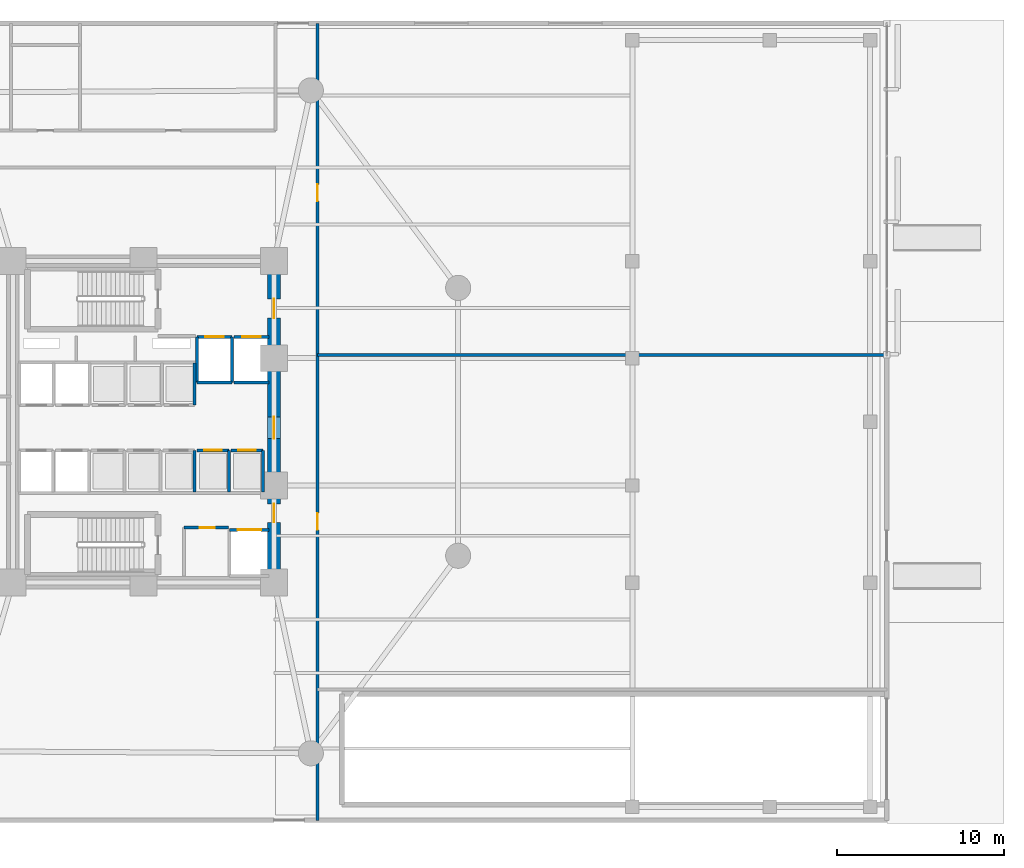
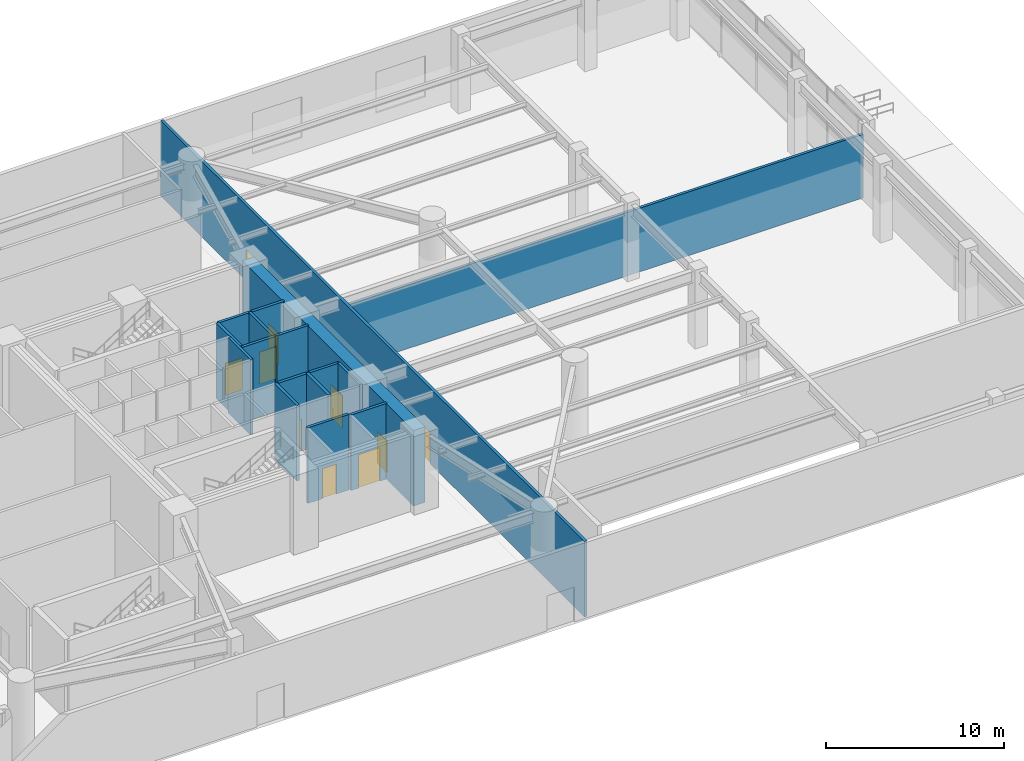
# One storey, part 8 of 16: 17 walls, 11 doors, 11 openings.
"""IFC4 building model written with IfcOpenShell, lengths in metres."""

from ifc_helpers import new_model, si_unit, direction, frame, frame_2d, origin, place, context, subcontext, project, spatial, rectangle, extrude, material, layer, layer_set, type_object, element, fill, save


model = new_model("IFC4")

# Units and contexts
model_context = context("Model", 3, precision=1e-05, world=origin(), true_north=direction((0.0, 1.0)))
body_context = subcontext(model_context, "Body", "Model", "MODEL_VIEW")
ifc_project = project(units=[si_unit("LENGTHUNIT", "METRE"), si_unit("AREAUNIT", "SQUARE_METRE"), si_unit("VOLUMEUNIT", "CUBIC_METRE"), si_unit("PLANEANGLEUNIT", "RADIAN"), si_unit("MASSUNIT", "GRAM", prefix="KILO")], contexts=[model_context])

# Site, building, storey
site_placement = place(None, origin())
site = spatial("IfcSite", under=ifc_project, at=site_placement, CompositionType="ELEMENT")
building_placement = place(site_placement, origin())
building = spatial("IfcBuilding", under=site, at=building_placement, Name="An Khanh Terracotta Commons", CompositionType="ELEMENT")
storey_placement = place(building_placement, origin())
storey = spatial("IfcBuildingStorey", under=building, at=storey_placement, Name="L01", CompositionType="ELEMENT", Elevation=0.0)

# Wall, openings, doors
ifc_material_1 = material(Name="Concrete C70/85", Category="concrete")
ifc_layer_1 = layer(ifc_material_1, 0.75, Name="Concrete C70/85")
ifc_layer_set_1 = layer_set([ifc_layer_1], Name="Concrete C70/85")
wall_type_1 = type_object("IfcWallType", Name="WALL-CORE-750", PredefinedType="SHEAR", material=ifc_layer_set_1)
wall_1_placement = place(storey_placement, frame((37.199951171875, 14.39990234375, 0.0), z_axis=(0.0, 0.0, 1.0), x_axis=(0.0, 1.0, 0.0)))
wall_1 = element("IfcWall", 1, at=wall_1_placement, inside=storey, type_object=wall_type_1, Name="L01 Core Wall CWALL-L01-E", PredefinedType="SHEAR", context=body_context, shape_type="SweptSolid", body=[
    extrude(rectangle(XDim=19.2001953125, YDim=0.75, at=frame_2d((9.60009765625, 0.0))), origin(), (0.0, 0.0, 1.0), 5.179931640625),
])
opening_1_placement = place(wall_1_placement, frame((15.800048828125, 0.0, 0.0)))
opening_1 = element("IfcOpeningElement", 2, at=opening_1_placement, cuts=wall_1, Name="Opening D-FFL", PredefinedType="OPENING", context=body_context, shape_type="SweptSolid", body=[
    extrude(rectangle(XDim=1.14990234375, YDim=2.14990234375, at=frame_2d((0.574951171875, 1.074951171875))), frame((0.0, 0.385009765625, 0.0), z_axis=(0.0, -1.0, 0.0), x_axis=(1.0, 0.0, 0.0)), (0.0, 0.0, 1.0), 0.77001953125),
])
opening_2_placement = place(wall_1_placement, frame((3.60009765625, 0.0, 0.0)))
opening_2 = element("IfcOpeningElement", 3, at=opening_2_placement, cuts=wall_1, Name="Opening D-ST", PredefinedType="OPENING", context=body_context, shape_type="SweptSolid", body=[
    extrude(rectangle(XDim=1.10009765625, YDim=2.14990234375, at=frame_2d((0.550048828125, 1.074951171875))), frame((0.0, 0.385009765625, 0.0), z_axis=(0.0, -1.0, 0.0), x_axis=(1.0, 0.0, 0.0)), (0.0, 0.0, 1.0), 0.77001953125),
])
opening_3_placement = place(wall_1_placement, frame((8.60009765625, 0.0, 0.0)))
opening_3 = element("IfcOpeningElement", 4, at=opening_3_placement, cuts=wall_1, Name="Opening D-COR", PredefinedType="OPENING", context=body_context, shape_type="SweptSolid", body=[
    extrude(rectangle(XDim=1.300048828125, YDim=2.199951171875, at=frame_2d((0.64990234375, 1.10009765625))), frame((0.0, 0.385009765625, 0.0), z_axis=(0.0, -1.0, 0.0), x_axis=(1.0, 0.0, 0.0)), (0.0, 0.0, 1.0), 0.77001953125),
])
ifc_material_2 = material(Name="Fire-Rated Glazed Steel Double Door", Category="steel")
door_type_1 = type_object("IfcDoorType", Name="DOOR-CORR-1300", OperationType="NOTDEFINED", PredefinedType="DOOR", material=ifc_material_2)
door_1_placement = place(opening_3_placement, origin())
door_1 = element("IfcDoor", 5, at=door_1_placement, inside=storey, type_object=door_type_1, Name="L01 Passenger Lift Lobby Double Door", OperationType="DOUBLE_DOOR_SINGLE_SWING", OverallHeight=2.199951171875, OverallWidth=1.300048828125, PredefinedType="DOOR", context=body_context, shape_type="SweptSolid", body=[
    extrude(rectangle(XDim=1.300048828125, YDim=2.199951171875, at=frame_2d((0.64990234375, 1.10009765625))), frame((0.0, 0.02490234375, 0.0), z_axis=(0.0, -1.0, 0.0), x_axis=(1.0, 0.0, 0.0)), (0.0, 0.0, 1.0), 0.050048828125),
])
fill(opening_3, door_1)
ifc_material_3 = material(Name="Fire-Rated Steel Leaf and Vision Panel", Category="steel")
door_type_2 = type_object("IfcDoorType", Name="DOOR-FFL-1150", OperationType="NOTDEFINED", PredefinedType="DOOR", material=ifc_material_3)
door_2_placement = place(opening_1_placement, origin())
door_2 = element("IfcDoor", 6, at=door_2_placement, inside=storey, type_object=door_type_2, Name="L01 Firefighting Lift Lobby Fire Door", OperationType="SINGLE_SWING_RIGHT", OverallHeight=2.14990234375, OverallWidth=1.14990234375, PredefinedType="DOOR", context=body_context, shape_type="SweptSolid", body=[
    extrude(rectangle(XDim=1.14990234375, YDim=2.14990234375, at=frame_2d((0.574951171875, 1.074951171875))), frame((0.0, 0.02490234375, 0.0), z_axis=(0.0, -1.0, 0.0), x_axis=(1.0, 0.0, 0.0)), (0.0, 0.0, 1.0), 0.050048828125),
])
fill(opening_1, door_2)
ifc_material_4 = material(Name="Fire-Rated Steel Leaf and Frame", Category="steel")
door_type_3 = type_object("IfcDoorType", Name="DOOR-STAIR-1100", OperationType="NOTDEFINED", PredefinedType="DOOR", material=ifc_material_4)
door_3_placement = place(opening_2_placement, origin())
door_3 = element("IfcDoor", 7, at=door_3_placement, inside=storey, type_object=door_type_3, Name="L01 South Stair Lobby Fire Door", OperationType="SINGLE_SWING_LEFT", OverallHeight=2.14990234375, OverallWidth=1.10009765625, PredefinedType="DOOR", context=body_context, shape_type="SweptSolid", body=[
    extrude(rectangle(XDim=1.10009765625, YDim=2.14990234375, at=frame_2d((0.550048828125, 1.074951171875))), frame((0.0, 0.02490234375, 0.0), z_axis=(0.0, -1.0, 0.0), x_axis=(1.0, 0.0, 0.0)), (0.0, 0.0, 1.0), 0.050048828125),
])
fill(opening_2, door_3)

# Wall, opening, door
ifc_material_5 = material(Name="Fire-Rated Gypsum Board on Steel Stud", Category="steel")
ifc_layer_2 = layer(ifc_material_5, 0.179931640625, Name="Fire-Rated Gypsum Board on Steel Stud")
ifc_layer_set_2 = layer_set([ifc_layer_2], Name="Fire-Rated Gypsum Board on Steel Stud")
wall_type_2 = type_object("IfcWallType", Name="WALL-CORR-180", PredefinedType="PARTITIONING", material=ifc_layer_set_2)
wall_2_placement = place(storey_placement, frame((31.820068359375, 17.679931640625, 0.0), z_axis=(0.0, 0.0, 1.0), x_axis=(1.0, 0.0, 0.0)))
wall_2 = element("IfcWall", 8, at=wall_2_placement, inside=storey, type_object=wall_type_2, Name="L01 Core Wall SSVCW-L01-N", PredefinedType="PARTITIONING", context=body_context, shape_type="SweptSolid", body=[
    extrude(rectangle(XDim=2.659912109375, YDim=0.179931640625, at=frame_2d((1.330078125, 0.0))), origin(), (0.0, 0.0, 1.0), 5.179931640625),
])
opening_4_placement = place(wall_2_placement, frame((0.949951171875, 0.0, 0.0)))
opening_4 = element("IfcOpeningElement", 9, at=opening_4_placement, cuts=wall_2, Name="Opening D-SV", PredefinedType="OPENING", context=body_context, shape_type="SweptSolid", body=[
    extrude(rectangle(XDim=0.89990234375, YDim=2.050048828125, at=frame_2d((0.449951171875, 1.02490234375))), frame((0.0, 0.099853515625, 0.0), z_axis=(0.0, -1.0, 0.0), x_axis=(1.0, 0.0, 0.0)), (0.0, 0.0, 1.0), 0.199951171875),
])
ifc_material_6 = material(Name="Fire-Rated Powder-Coated Steel Door", Category="steel")
door_type_4 = type_object("IfcDoorType", Name="DOOR-SERV-900", OperationType="NOTDEFINED", PredefinedType="DOOR", material=ifc_material_6)
door_4_placement = place(opening_4_placement, origin())
door_4 = element("IfcDoor", 10, at=door_4_placement, inside=storey, type_object=door_type_4, Name="L01 Core Housekeeping Store Door", OperationType="SINGLE_SWING_RIGHT", OverallHeight=2.050048828125, OverallWidth=0.89990234375, PredefinedType="DOOR", context=body_context, shape_type="SweptSolid", body=[
    extrude(rectangle(XDim=0.89990234375, YDim=2.050048828125, at=frame_2d((0.449951171875, 1.02490234375))), frame((0.0, 0.02490234375, 0.0), z_axis=(0.0, -1.0, 0.0), x_axis=(1.0, 0.0, 0.0)), (0.0, 0.0, 1.0), 0.050048828125),
])
fill(opening_4, door_4)

wall_3_placement = place(storey_placement, frame((32.60009765625, 29.080078125, 0.0), z_axis=(0.0, 0.0, 1.0), x_axis=(1.0, 0.0, 0.0)))
wall_3 = element("IfcWall", 11, at=wall_3_placement, inside=storey, type_object=wall_type_2, Name="L01 Core Wall LSH-L01-FFL-01-N", PredefinedType="PARTITIONING", context=body_context, shape_type="SweptSolid", body=[
    extrude(rectangle(XDim=2.079833984375, YDim=0.179931640625, at=frame_2d((1.0400390625, 0.0))), origin(), (0.0, 0.0, 1.0), 5.179931640625),
])
opening_5_placement = place(wall_3_placement, frame((0.489990234375, 0.0, 0.0)))
opening_5 = element("IfcOpeningElement", 12, at=opening_5_placement, cuts=wall_3, Name="Opening LD-FFL-01-L01", PredefinedType="OPENING", context=body_context, shape_type="SweptSolid", body=[
    extrude(rectangle(XDim=1.10009765625, YDim=2.199951171875, at=frame_2d((0.550048828125, 1.10009765625))), frame((0.0, 0.099853515625, 0.0), z_axis=(0.0, -1.0, 0.0), x_axis=(1.0, 0.0, 0.0)), (0.0, 0.0, 1.0), 0.199951171875),
])
ifc_material_7 = material(Name="Brushed Stainless Steel Fire Landing Door", Category="steel")
door_type_5 = type_object("IfcDoorType", Name="DOOR-LD-FFL-1100", OperationType="NOTDEFINED", PredefinedType="DOOR", material=ifc_material_7)
door_5_placement = place(opening_5_placement, origin())
door_5 = element("IfcDoor", 13, at=door_5_placement, inside=storey, type_object=door_type_5, Name="L01 Lift FFL-01 Sliding Landing Door", OperationType="DOUBLE_DOOR_SLIDING", OverallHeight=2.199951171875, OverallWidth=1.10009765625, PredefinedType="DOOR", context=body_context, shape_type="SweptSolid", body=[
    extrude(rectangle(XDim=1.10009765625, YDim=2.199951171875, at=frame_2d((0.550048828125, 1.10009765625))), frame((0.0, 0.02490234375, 0.0), z_axis=(0.0, -1.0, 0.0), x_axis=(1.0, 0.0, 0.0)), (0.0, 0.0, 1.0), 0.050048828125),
])
fill(opening_5, door_5)

# Walls
wall_4_placement = place(storey_placement, frame((34.679931640625, 26.35009765625, 0.0), z_axis=(0.0, 0.0, 1.0), x_axis=(-1.0, 0.0, 0.0)))
element("IfcWall", 14, at=wall_4_placement, inside=storey, type_object=wall_type_2, Name="L01 Core Wall LSH-L01-FFL-01-S", PredefinedType="PARTITIONING", context=body_context, shape_type="SweptSolid", body=[
    extrude(rectangle(XDim=2.079833984375, YDim=0.179931640625, at=frame_2d((1.0400390625, 0.0))), origin(), (0.0, 0.0, 1.0), 5.179931640625),
])
for number, where, z_axis, x_axis, name in (
    (15, (34.679931640625, 26.35009765625, 0.0), (0.0, 0.0, 1.0), (0.0, 1.0, 0.0), "L01 Core Wall LSH-L01-FFL-01-E"),
    (16, (32.60009765625, 29.080078125, 0.0), (0.0, 0.0, 1.0), (0.0, -1.0, 0.0), "L01 Core Wall LSH-L01-FFL-01-W"),
):
    element("IfcWall", number, at=place(storey_placement, frame(where, z_axis=z_axis, x_axis=x_axis)), inside=storey, type_object=wall_type_2, Name=name, PredefinedType="PARTITIONING", context=body_context, shape_type="SweptSolid", body=[
        extrude(rectangle(XDim=2.72998046875, YDim=0.179931640625, at=frame_2d((1.364990234375, 0.0))), origin(), (0.0, 0.0, 1.0), 5.179931640625),
    ])

# Wall, opening, door
wall_5_placement = place(storey_placement, frame((34.820068359375, 29.080078125, 0.0), z_axis=(0.0, 0.0, 1.0), x_axis=(1.0, 0.0, 0.0)))
wall_5 = element("IfcWall", 17, at=wall_5_placement, inside=storey, type_object=wall_type_2, Name="L01 Core Wall LSH-L01-FFL-02-N", PredefinedType="PARTITIONING", context=body_context, shape_type="SweptSolid", body=[
    extrude(rectangle(XDim=2.079833984375, YDim=0.179931640625, at=frame_2d((1.0400390625, 0.0))), origin(), (0.0, 0.0, 1.0), 5.179931640625),
])
opening_6_placement = place(wall_5_placement, frame((0.489990234375, 0.0, 0.0)))
opening_6 = element("IfcOpeningElement", 18, at=opening_6_placement, cuts=wall_5, Name="Opening LD-FFL-02-L01", PredefinedType="OPENING", context=body_context, shape_type="SweptSolid", body=[
    extrude(rectangle(XDim=1.10009765625, YDim=2.199951171875, at=frame_2d((0.550048828125, 1.10009765625))), frame((0.0, 0.099853515625, 0.0), z_axis=(0.0, -1.0, 0.0), x_axis=(1.0, 0.0, 0.0)), (0.0, 0.0, 1.0), 0.199951171875),
])
door_6_placement = place(opening_6_placement, origin())
door_6 = element("IfcDoor", 19, at=door_6_placement, inside=storey, type_object=door_type_5, Name="L01 Lift FFL-02 Sliding Landing Door", OperationType="DOUBLE_DOOR_SLIDING", OverallHeight=2.199951171875, OverallWidth=1.10009765625, PredefinedType="DOOR", context=body_context, shape_type="SweptSolid", body=[
    extrude(rectangle(XDim=1.10009765625, YDim=2.199951171875, at=frame_2d((0.550048828125, 1.10009765625))), frame((0.0, 0.02490234375, 0.0), z_axis=(0.0, -1.0, 0.0), x_axis=(1.0, 0.0, 0.0)), (0.0, 0.0, 1.0), 0.050048828125),
])
fill(opening_6, door_6)

# Wall
wall_6_placement = place(storey_placement, frame((36.89990234375, 26.35009765625, 0.0), z_axis=(0.0, 0.0, 1.0), x_axis=(-1.0, 0.0, 0.0)))
element("IfcWall", 20, at=wall_6_placement, inside=storey, type_object=wall_type_2, Name="L01 Core Wall LSH-L01-FFL-02-S", PredefinedType="PARTITIONING", context=body_context, shape_type="SweptSolid", body=[
    extrude(rectangle(XDim=2.079833984375, YDim=0.179931640625, at=frame_2d((1.0400390625, 0.0))), origin(), (0.0, 0.0, 1.0), 5.179931640625),
])

# Wall, opening, door
wall_7_placement = place(storey_placement, frame((34.550048828125, 17.550048828125, 0.0), z_axis=(0.0, 0.0, 1.0), x_axis=(1.0, 0.0, 0.0)))
wall_7 = element("IfcWall", 21, at=wall_7_placement, inside=storey, type_object=wall_type_2, Name="L01 Core Wall LSH-L01-SVL-01-N", PredefinedType="PARTITIONING", context=body_context, shape_type="SweptSolid", body=[
    extrude(rectangle(XDim=2.349853515625, YDim=0.179931640625, at=frame_2d((1.1748046875, 0.0))), origin(), (0.0, 0.0, 1.0), 5.179931640625),
])
opening_7_placement = place(wall_7_placement, frame((0.47509765625, 0.0, 0.0)))
opening_7 = element("IfcOpeningElement", 22, at=opening_7_placement, cuts=wall_7, Name="Opening LD-SVL-01-L01", PredefinedType="OPENING", context=body_context, shape_type="SweptSolid", body=[
    extrude(rectangle(XDim=1.39990234375, YDim=2.300048828125, at=frame_2d((0.699951171875, 1.14990234375))), frame((0.0, 0.099853515625, 0.0), z_axis=(0.0, -1.0, 0.0), x_axis=(1.0, 0.0, 0.0)), (0.0, 0.0, 1.0), 0.199951171875),
])
ifc_material_8 = material(Name="Heavy-Duty Stainless Steel Goods Landing Door", Category="steel")
door_type_6 = type_object("IfcDoorType", Name="DOOR-LD-SVL-1400", OperationType="NOTDEFINED", PredefinedType="DOOR", material=ifc_material_8)
door_7_placement = place(opening_7_placement, origin())
door_7 = element("IfcDoor", 23, at=door_7_placement, inside=storey, type_object=door_type_6, Name="L01 Lift SVL-01 Sliding Landing Door", OperationType="DOUBLE_DOOR_SLIDING", OverallHeight=2.300048828125, OverallWidth=1.39990234375, PredefinedType="DOOR", context=body_context, shape_type="SweptSolid", body=[
    extrude(rectangle(XDim=1.39990234375, YDim=2.300048828125, at=frame_2d((0.699951171875, 1.14990234375))), frame((0.0, 0.02490234375, 0.0), z_axis=(0.0, -1.0, 0.0), x_axis=(1.0, 0.0, 0.0)), (0.0, 0.0, 1.0), 0.050048828125),
])
fill(opening_7, door_7)

# Walls
for number, where, z_axis, x_axis, name in (
    (24, (32.4599609375, 25.0, 0.0), (0.0, 0.0, 1.0), (0.0, 1.0, 0.0), "L01 Core Wall LSH-L01-PL-H1-E"),
    (25, (32.4599609375, 19.800048828125, 0.0), (0.0, 0.0, 1.0), (0.0, 1.0, 0.0), "L01 Core Wall LSH-L01-PL-H2-E"),
):
    element("IfcWall", number, at=place(storey_placement, frame(where, z_axis=z_axis, x_axis=x_axis)), inside=storey, type_object=wall_type_2, Name=name, PredefinedType="PARTITIONING", context=body_context, shape_type="SweptSolid", body=[
        extrude(rectangle(XDim=2.5, YDim=0.179931640625, at=frame_2d((1.25, 0.0))), origin(), (0.0, 0.0, 1.0), 5.179931640625),
    ])

# Wall, opening, door
wall_8_placement = place(storey_placement, frame((32.60009765625, 22.300048828125, 0.0), z_axis=(0.0, 0.0, 1.0), x_axis=(1.0, 0.0, 0.0)))
wall_8 = element("IfcWall", 26, at=wall_8_placement, inside=storey, type_object=wall_type_2, Name="L01 Core Wall LSH-L01-PL-H3-N", PredefinedType="PARTITIONING", context=body_context, shape_type="SweptSolid", body=[
    extrude(rectangle(XDim=1.89990234375, YDim=0.179931640625, at=frame_2d((0.949951171875, 0.0))), origin(), (0.0, 0.0, 1.0), 5.179931640625),
])
opening_8_placement = place(wall_8_placement, frame((0.425048828125, 0.0, 0.0)))
opening_8 = element("IfcOpeningElement", 27, at=opening_8_placement, cuts=wall_8, Name="Opening LD-PL-H3-L01", PredefinedType="OPENING", context=body_context, shape_type="SweptSolid", body=[
    extrude(rectangle(XDim=1.050048828125, YDim=2.199951171875, at=frame_2d((0.52490234375, 1.10009765625))), frame((0.0, 0.099853515625, 0.0), z_axis=(0.0, -1.0, 0.0), x_axis=(1.0, 0.0, 0.0)), (0.0, 0.0, 1.0), 0.199951171875),
])
ifc_material_9 = material(Name="Brushed Stainless Steel High-Rise Landing Door", Category="steel")
door_type_7 = type_object("IfcDoorType", Name="DOOR-LD-PAXH-1050", OperationType="NOTDEFINED", PredefinedType="DOOR", material=ifc_material_9)
door_8_placement = place(opening_8_placement, origin())
door_8 = element("IfcDoor", 28, at=door_8_placement, inside=storey, type_object=door_type_7, Name="L01 Lift PL-H3 Sliding Landing Door", OperationType="DOUBLE_DOOR_SLIDING", OverallHeight=2.199951171875, OverallWidth=1.050048828125, PredefinedType="DOOR", context=body_context, shape_type="SweptSolid", body=[
    extrude(rectangle(XDim=1.050048828125, YDim=2.199951171875, at=frame_2d((0.52490234375, 1.10009765625))), frame((0.0, 0.02490234375, 0.0), z_axis=(0.0, -1.0, 0.0), x_axis=(1.0, 0.0, 0.0)), (0.0, 0.0, 1.0), 0.050048828125),
])
fill(opening_8, door_8)

# Wall
wall_9_placement = place(storey_placement, frame((34.5, 19.800048828125, 0.0), z_axis=(0.0, 0.0, 1.0), x_axis=(0.0, 1.0, 0.0)))
element("IfcWall", 29, at=wall_9_placement, inside=storey, type_object=wall_type_2, Name="L01 Core Wall LSH-L01-PL-H3-E", PredefinedType="PARTITIONING", context=body_context, shape_type="SweptSolid", body=[
    extrude(rectangle(XDim=2.5, YDim=0.179931640625, at=frame_2d((1.25, 0.0))), origin(), (0.0, 0.0, 1.0), 5.179931640625),
])

# Wall, opening, door
wall_10_placement = place(storey_placement, frame((34.639892578125, 22.300048828125, 0.0), z_axis=(0.0, 0.0, 1.0), x_axis=(1.0, 0.0, 0.0)))
wall_10 = element("IfcWall", 30, at=wall_10_placement, inside=storey, type_object=wall_type_2, Name="L01 Core Wall LSH-L01-PL-H4-N", PredefinedType="PARTITIONING", context=body_context, shape_type="SweptSolid", body=[
    extrude(rectangle(XDim=1.900146484375, YDim=0.179931640625, at=frame_2d((0.9501953125, 0.0))), origin(), (0.0, 0.0, 1.0), 5.179931640625),
])
opening_9_placement = place(wall_10_placement, frame((0.425048828125, 0.0, 0.0)))
opening_9 = element("IfcOpeningElement", 31, at=opening_9_placement, cuts=wall_10, Name="Opening LD-PL-H4-L01", PredefinedType="OPENING", context=body_context, shape_type="SweptSolid", body=[
    extrude(rectangle(XDim=1.050048828125, YDim=2.199951171875, at=frame_2d((0.52490234375, 1.10009765625))), frame((0.0, 0.099853515625, 0.0), z_axis=(0.0, -1.0, 0.0), x_axis=(1.0, 0.0, 0.0)), (0.0, 0.0, 1.0), 0.199951171875),
])
door_9_placement = place(opening_9_placement, origin())
door_9 = element("IfcDoor", 32, at=door_9_placement, inside=storey, type_object=door_type_7, Name="L01 Lift PL-H4 Sliding Landing Door", OperationType="DOUBLE_DOOR_SLIDING", OverallHeight=2.199951171875, OverallWidth=1.050048828125, PredefinedType="DOOR", context=body_context, shape_type="SweptSolid", body=[
    extrude(rectangle(XDim=1.050048828125, YDim=2.199951171875, at=frame_2d((0.52490234375, 1.10009765625))), frame((0.0, 0.02490234375, 0.0), z_axis=(0.0, -1.0, 0.0), x_axis=(1.0, 0.0, 0.0)), (0.0, 0.0, 1.0), 0.050048828125),
])
fill(opening_9, door_9)

# Walls
wall_11_placement = place(storey_placement, frame((36.5400390625, 19.800048828125, 0.0), z_axis=(0.0, 0.0, 1.0), x_axis=(0.0, 1.0, 0.0)))
element("IfcWall", 33, at=wall_11_placement, inside=storey, type_object=wall_type_2, Name="L01 Core Wall LSH-L01-PL-H4-E", PredefinedType="PARTITIONING", context=body_context, shape_type="SweptSolid", body=[
    extrude(rectangle(XDim=2.5, YDim=0.179931640625, at=frame_2d((1.25, 0.0))), origin(), (0.0, 0.0, 1.0), 5.179931640625),
])
ifc_material_10 = material(Name="Double-Layer Fire-Rated Gypsum Board on Mineral Fibre Core")
ifc_layer_3 = layer(ifc_material_10, 0.179931640625, Name="Double-Layer Fire-Rated Gypsum Board on Mineral Fibre Core")
ifc_layer_set_3 = layer_set([ifc_layer_3], Name="Double-Layer Fire-Rated Gypsum Board on Mineral Fibre Core")
wall_type_3 = type_object("IfcWallType", Name="WALL-EXITPASS-180", PredefinedType="PARTITIONING", material=ifc_layer_set_3)
wall_12_placement = place(storey_placement, frame((39.800048828125, 28.0, 0.0), z_axis=(0.0, 0.0, 1.0), x_axis=(1.0, 0.0, 0.0)))
element("IfcWall", 34, at=wall_12_placement, inside=storey, type_object=wall_type_3, Name="L01 Interior Partition IW-L01-E006", PredefinedType="PARTITIONING", context=body_context, shape_type="SweptSolid", body=[
    extrude(rectangle(XDim=34.0, YDim=0.179931640625, at=frame_2d((17.0, 0.0))), origin(), (0.0, 0.0, 1.0), 4.362060546875),
])

# Wall, openings, doors
wall_13_placement = place(storey_placement, frame((39.800048828125, 0.199951171875, 0.0), z_axis=(0.0, 0.0, 1.0), x_axis=(0.0, 1.0, 0.0)))
wall_13 = element("IfcWall", 35, at=wall_13_placement, inside=storey, type_object=wall_type_3, Name="L01 Interior Partition IW-L01-E023", PredefinedType="PARTITIONING", context=body_context, shape_type="SweptSolid", body=[
    extrude(rectangle(XDim=47.60009765625, YDim=0.179931640625, at=frame_2d((23.800048828125, 0.0))), origin(), (0.0, 0.0, 1.0), 5.179931640625),
])
opening_10_placement = place(wall_13_placement, frame((17.340087890625, 0.0, 0.0)))
opening_10 = element("IfcOpeningElement", 36, at=opening_10_placement, cuts=wall_13, Name="Opening D-EP", PredefinedType="OPENING", context=body_context, shape_type="SweptSolid", body=[
    extrude(rectangle(XDim=1.0, YDim=2.14990234375, at=frame_2d((0.5, 1.074951171875))), frame((0.0, 0.099853515625, 0.0), z_axis=(0.0, -1.0, 0.0), x_axis=(1.0, 0.0, 0.0)), (0.0, 0.0, 1.0), 0.199951171875),
])
opening_11_placement = place(wall_13_placement, frame((36.97998046875, 0.0, 0.0)))
opening_11 = element("IfcOpeningElement", 37, at=opening_11_placement, cuts=wall_13, Name="Opening D-EP", PredefinedType="OPENING", context=body_context, shape_type="SweptSolid", body=[
    extrude(rectangle(XDim=1.0, YDim=2.14990234375, at=frame_2d((0.5, 1.074951171875))), frame((0.0, 0.099853515625, 0.0), z_axis=(0.0, -1.0, 0.0), x_axis=(1.0, 0.0, 0.0)), (0.0, 0.0, 1.0), 0.199951171875),
])
ifc_material_11 = material(Name="Fire-Rated Insulated Steel Leaf", Category="steel")
door_type_8 = type_object("IfcDoorType", Name="DOOR-EXITPASS-1000", OperationType="NOTDEFINED", PredefinedType="DOOR", material=ifc_material_11)
door_10_placement = place(opening_10_placement, origin())
door_10 = element("IfcDoor", 38, at=door_10_placement, inside=storey, type_object=door_type_8, Name="L01 FHL Public Riverfront Food Hall Door", OperationType="SINGLE_SWING_LEFT", OverallHeight=2.14990234375, OverallWidth=1.0, PredefinedType="DOOR", context=body_context, shape_type="SweptSolid", body=[
    extrude(rectangle(XDim=1.0, YDim=2.14990234375, at=frame_2d((0.5, 1.074951171875))), frame((0.0, 0.02490234375, 0.0), z_axis=(0.0, -1.0, 0.0), x_axis=(1.0, 0.0, 0.0)), (0.0, 0.0, 1.0), 0.050048828125),
])
fill(opening_10, door_10)
door_11_placement = place(opening_11_placement, origin())
door_11 = element("IfcDoor", 39, at=door_11_placement, inside=storey, type_object=door_type_8, Name="L01 CMN Student Academic Commons Hall Door", OperationType="SINGLE_SWING_RIGHT", OverallHeight=2.14990234375, OverallWidth=1.0, PredefinedType="DOOR", context=body_context, shape_type="SweptSolid", body=[
    extrude(rectangle(XDim=1.0, YDim=2.14990234375, at=frame_2d((0.5, 1.074951171875))), frame((0.0, 0.02490234375, 0.0), z_axis=(0.0, -1.0, 0.0), x_axis=(1.0, 0.0, 0.0)), (0.0, 0.0, 1.0), 0.050048828125),
])
fill(opening_11, door_11)

save(model, "model.ifc")
